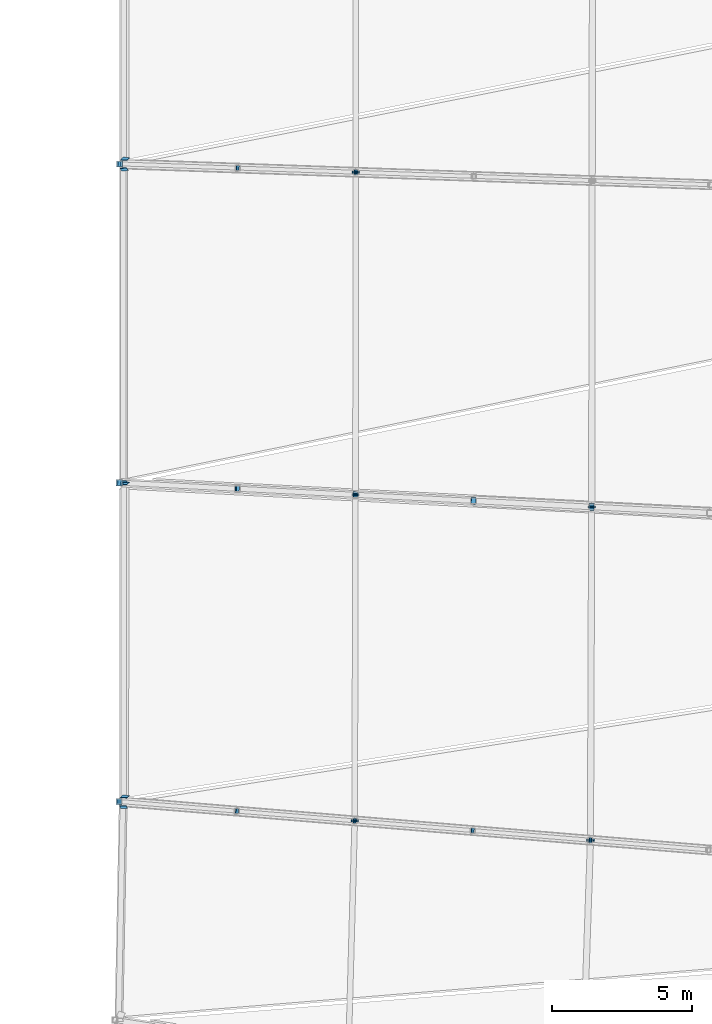
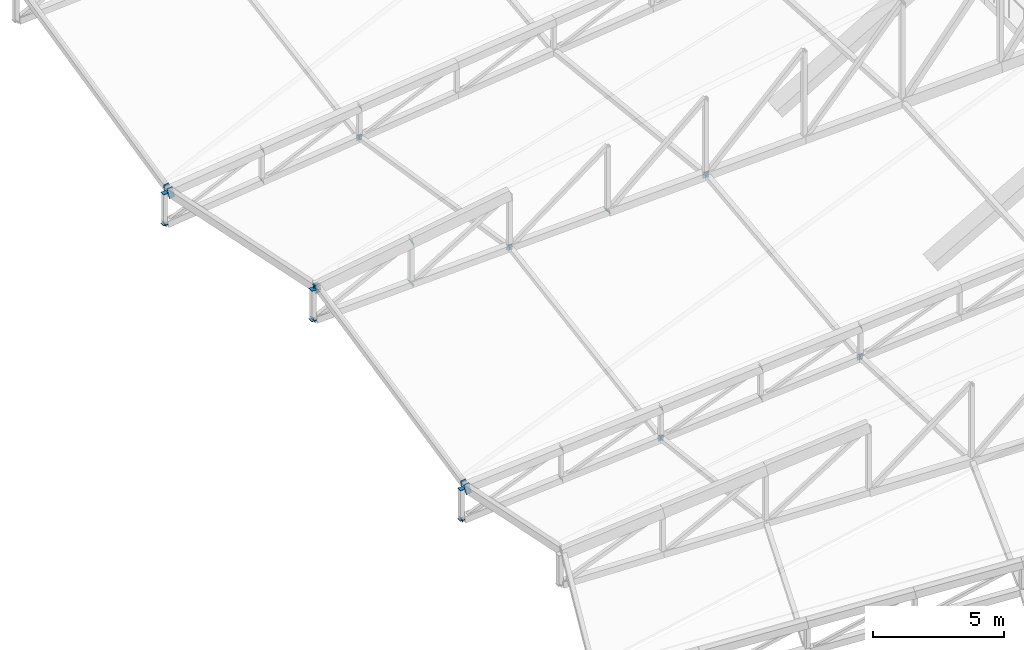
# One storey, part 303 of 344: 42 discrete accessories.
"""IFC4 building model written with IfcOpenShell, lengths in metres."""

from ifc_helpers import new_model, si_unit, direction, frame, origin, origin_2d, place, context, subcontext, project, spatial, rectangle, extrude, material, material_profile, profile_set, type_object, element, save


model = new_model("IFC4")

# Units and contexts
model_context = context("Model", 3, precision=1e-05, world=origin(), true_north=direction((0.0, 1.0)))
body_context = subcontext(model_context, "Body", "Model", "MODEL_VIEW")
ifc_project = project(units=[si_unit("LENGTHUNIT", "METRE"), si_unit("AREAUNIT", "SQUARE_METRE"), si_unit("VOLUMEUNIT", "CUBIC_METRE"), si_unit("PLANEANGLEUNIT", "RADIAN"), si_unit("MASSUNIT", "GRAM", prefix="KILO")], contexts=[model_context])

# Site, building, storey
site_placement = place(None, origin())
site = spatial("IfcSite", under=ifc_project, at=site_placement, CompositionType="ELEMENT")
building_placement = place(site_placement, origin())
building = spatial("IfcBuilding", under=site, at=building_placement, Name="Meseta Stadium", CompositionType="ELEMENT")
storey_placement = place(building_placement, frame((0.0, 0.0, 24.0)))
storey = spatial("IfcBuildingStorey", under=building, at=storey_placement, Name="L04", CompositionType="ELEMENT", Elevation=24.0)

# Discrete accessories
ifc_material_1 = material(Name="Steel S355", Category="steel")
ifc_material_profile_1 = material_profile(ifc_material_1, rectangle(XDim=0.179931640625, YDim=0.179931640625, at=origin_2d()), Name="PL 180x180")
ifc_profile_set_1 = profile_set([ifc_material_profile_1], Name="Steel S355")
discrete_accessory_type_1 = type_object("IfcDiscreteAccessoryType", Name="End plate 180x180x20", PredefinedType="ANCHORPLATE", material=ifc_profile_set_1)
discrete_accessory_1_placement = place(storey_placement, frame((46.96435546875, -39.832763671875, 1.090087890625), z_axis=(0.901567911708, -0.073100100949, 0.426417255537), x_axis=(0.080815868766, 0.996729048115, 0.0)))
element("IfcDiscreteAccessory", 1, at=discrete_accessory_1_placement, inside=storey, type_object=discrete_accessory_type_1, Name="End plate of ROOF TRUSS RT-01 diagonal", PredefinedType="ANCHORPLATE", context=body_context, shape_type="SweptSolid", body=[
    extrude(rectangle(XDim=0.179931640625, YDim=0.179931640625, at=origin_2d()), origin(), (0.0, 0.0, 1.0), 0.02001953125),
])
discrete_accessory_2_placement = place(storey_placement, frame((51.1904296875, -40.18017578125, 3.13818359375), z_axis=(0.899249391933, -0.073910908926, 0.431146968735), x_axis=(0.081915556729, 0.996639273542, 0.0)))
element("IfcDiscreteAccessory", 2, at=discrete_accessory_2_placement, inside=storey, type_object=discrete_accessory_type_1, Name="End plate of ROOF TRUSS RT-01 diagonal", PredefinedType="ANCHORPLATE", context=body_context, shape_type="SweptSolid", body=[
    extrude(rectangle(XDim=0.179931640625, YDim=0.179931640625, at=origin_2d()), origin(), (0.0, 0.0, 1.0), 0.019775390625),
])
discrete_accessory_3_placement = place(storey_placement, frame((51.17236328125, -40.1787109375, 1.7236328125), z_axis=(0.901567911708, -0.073100100949, 0.426417255537), x_axis=(0.080815868766, 0.996729048115, 0.0)))
element("IfcDiscreteAccessory", 3, at=discrete_accessory_3_placement, inside=storey, type_object=discrete_accessory_type_1, Name="End plate of ROOF TRUSS RT-01 diagonal", PredefinedType="ANCHORPLATE", context=body_context, shape_type="SweptSolid", body=[
    extrude(rectangle(XDim=0.179931640625, YDim=0.179931640625, at=origin_2d()), origin(), (0.0, 0.0, 1.0), 0.02001953125),
])
discrete_accessory_4_placement = place(storey_placement, frame((55.398193359375, -40.5263671875, 3.771484375), z_axis=(0.896854406293, -0.072717924835, 0.436307549007), x_axis=(0.080815868766, 0.996729048115, 0.0)))
element("IfcDiscreteAccessory", 4, at=discrete_accessory_4_placement, inside=storey, type_object=discrete_accessory_type_1, Name="End plate of ROOF TRUSS RT-01 diagonal", PredefinedType="ANCHORPLATE", context=body_context, shape_type="SweptSolid", body=[
    extrude(rectangle(XDim=0.179931640625, YDim=0.179931640625, at=origin_2d()), origin(), (0.0, 0.0, 1.0), 0.020263671875),
])
discrete_accessory_5_placement = place(storey_placement, frame((55.38037109375, -40.52490234375, 2.35693359375), z_axis=(0.894443975619, -0.073515943202, 0.44109565921), x_axis=(0.081915556729, 0.996639273542, 0.0)))
element("IfcDiscreteAccessory", 5, at=discrete_accessory_5_placement, inside=storey, type_object=discrete_accessory_type_1, Name="End plate of ROOF TRUSS RT-01 diagonal", PredefinedType="ANCHORPLATE", context=body_context, shape_type="SweptSolid", body=[
    extrude(rectangle(XDim=0.179931640625, YDim=0.179931640625, at=origin_2d()), origin(), (0.0, 0.0, 1.0), 0.02001953125),
])
discrete_accessory_6_placement = place(storey_placement, frame((59.606201171875, -40.872314453125, 4.405029296875), z_axis=(0.896854406293, -0.072717924835, 0.436307549007), x_axis=(0.080815868766, 0.996729048115, 0.0)))
element("IfcDiscreteAccessory", 6, at=discrete_accessory_6_placement, inside=storey, type_object=discrete_accessory_type_1, Name="End plate of ROOF TRUSS RT-01 diagonal", PredefinedType="ANCHORPLATE", context=body_context, shape_type="SweptSolid", body=[
    extrude(rectangle(XDim=0.179931640625, YDim=0.179931640625, at=origin_2d()), origin(), (0.0, 0.0, 1.0), 0.020263671875),
])
for number, where, z_axis, x_axis, name in (
    (7, (59.58837890625, -40.870849609375, 2.990478515625), (0.894443975619, -0.073515943202, 0.44109565921), (0.081915556729, 0.996639273542, 0.0), "End plate of ROOF TRUSS RT-01 diagonal"),
    (8, (63.814208984375, -41.21826171875, 5.03857421875), (0.901567911708, -0.073100100949, 0.426417255537), (0.080815868766, 0.996729048115, 0.0), "End plate of ROOF TRUSS RT-01 diagonal"),
):
    element("IfcDiscreteAccessory", number, at=place(storey_placement, frame(where, z_axis=z_axis, x_axis=x_axis)), inside=storey, type_object=discrete_accessory_type_1, Name=name, PredefinedType="ANCHORPLATE", context=body_context, shape_type="SweptSolid", body=[
        extrude(rectangle(XDim=0.179931640625, YDim=0.179931640625, at=origin_2d()), origin(), (0.0, 0.0, 1.0), 0.02001953125),
    ])
discrete_accessory_7_placement = place(storey_placement, frame((63.79638671875, -41.216796875, 3.6240234375), z_axis=(0.899249391933, -0.073910908926, 0.431146968735), x_axis=(0.081915556729, 0.996639273542, 0.0)))
element("IfcDiscreteAccessory", 9, at=discrete_accessory_7_placement, inside=storey, type_object=discrete_accessory_type_1, Name="End plate of ROOF TRUSS RT-01 diagonal", PredefinedType="ANCHORPLATE", context=body_context, shape_type="SweptSolid", body=[
    extrude(rectangle(XDim=0.179931640625, YDim=0.179931640625, at=origin_2d()), origin(), (0.0, 0.0, 1.0), 0.019775390625),
])
for number, where, z_axis, x_axis, name in (
    (10, (46.978759765625, -17.071533203125, 1.09326171875), (0.898638141175, -0.036431275994, 0.437175311923), (0.040507266643, 0.999179243854, 0.0), "End plate of ROOF TRUSS RT-03 diagonal"),
    (11, (51.21630859375, -17.220947265625, 3.1630859375), (0.898638141175, -0.036431275994, 0.437175311923), (0.040507266643, 0.999179243854, 0.0), "End plate of ROOF TRUSS RT-03 diagonal"),
):
    element("IfcDiscreteAccessory", number, at=place(storey_placement, frame(where, z_axis=z_axis, x_axis=x_axis)), inside=storey, type_object=discrete_accessory_type_1, Name=name, PredefinedType="ANCHORPLATE", context=body_context, shape_type="SweptSolid", body=[
        extrude(rectangle(XDim=0.179931640625, YDim=0.179931640625, at=origin_2d()), origin(), (0.0, 0.0, 1.0), 0.02001953125),
    ])
for number, where, z_axis, x_axis, name in (
    (12, (51.198486328125, -17.220458984375, 1.726318359375), (0.896600239651, -0.024564390127, 0.442159022294), (0.027386983732, 0.999624906213, 0.0), "End plate of ROOF TRUSS RT-03 diagonal"),
    (13, (55.43603515625, -17.36962890625, 3.796142578125), (0.896262295257, -0.036832697065, 0.441992364784), (0.041061231452, 0.999156632001, 0.0), "End plate of ROOF TRUSS RT-03 diagonal"),
):
    element("IfcDiscreteAccessory", number, at=place(storey_placement, frame(where, z_axis=z_axis, x_axis=x_axis)), inside=storey, type_object=discrete_accessory_type_1, Name=name, PredefinedType="ANCHORPLATE", context=body_context, shape_type="SweptSolid", body=[
        extrude(rectangle(XDim=0.179931640625, YDim=0.179931640625, at=origin_2d()), origin(), (0.0, 0.0, 1.0), 0.019775390625),
    ])
discrete_accessory_8_placement = place(storey_placement, frame((55.41796875, -17.369140625, 2.359375), z_axis=(0.898969631887, -0.024296476537, 0.437336577675), x_axis=(0.027017161348, 0.999634969873, 0.0)))
element("IfcDiscreteAccessory", 14, at=discrete_accessory_8_placement, inside=storey, type_object=discrete_accessory_type_1, Name="End plate of ROOF TRUSS RT-03 diagonal", PredefinedType="ANCHORPLATE", context=body_context, shape_type="SweptSolid", body=[
    extrude(rectangle(XDim=0.179931640625, YDim=0.179931640625, at=origin_2d()), origin(), (0.0, 0.0, 1.0), 0.02001953125),
])
ifc_material_2 = material(Name="Steel S355", Category="steel")
ifc_material_profile_2 = material_profile(ifc_material_2, rectangle(XDim=0.219970703125, YDim=0.219970703125, at=origin_2d()), Name="PL 220x220")
ifc_profile_set_2 = profile_set([ifc_material_profile_2], Name="Steel S355")
discrete_accessory_type_2 = type_object("IfcDiscreteAccessoryType", Name="End plate 220x220x20", PredefinedType="ANCHORPLATE", material=ifc_profile_set_2)
discrete_accessory_9_placement = place(storey_placement, frame((46.982421875, -39.834228515625, 1.078857421875), z_axis=(0.0, 0.0, 1.0), x_axis=(1.0, 0.0, 0.0)))
element("IfcDiscreteAccessory", 15, at=discrete_accessory_9_placement, inside=storey, type_object=discrete_accessory_type_2, Name="End plate of ROOF TRUSS RT-01 post", PredefinedType="ANCHORPLATE", context=body_context, shape_type="SweptSolid", body=[
    extrude(rectangle(XDim=0.219970703125, YDim=0.219970703125, at=origin_2d()), origin(), (0.0, 0.0, 1.0), 0.019775390625),
])
for number, where, z_axis, x_axis, name in (
    (16, (46.982421875, -39.834228515625, 2.504638671875), (0.0, 0.0, 1.0), (1.0, 0.0, 0.0), "End plate of ROOF TRUSS RT-01 post"),
    (17, (46.973388671875, -28.45263671875, 3.526611328125), (0.878702431126, -0.036612601297, 0.47596381686), (0.041630544712, 0.999133073092, 0.0), "End plate of ROOF TRUSS RT-02 diagonal"),
    (18, (51.20751953125, -28.670166015625, 5.83251953125), (0.878244722495, -0.048791373472, 0.475715891351), (0.055470019623, 0.998460353205, 0.0), "End plate of ROOF TRUSS RT-02 diagonal"),
):
    element("IfcDiscreteAccessory", number, at=place(storey_placement, frame(where, z_axis=z_axis, x_axis=x_axis)), inside=storey, type_object=discrete_accessory_type_2, Name=name, PredefinedType="ANCHORPLATE", context=body_context, shape_type="SweptSolid", body=[
        extrude(rectangle(XDim=0.219970703125, YDim=0.219970703125, at=origin_2d()), origin(), (0.0, 0.0, 1.0), 0.02001953125),
    ])
discrete_accessory_10_placement = place(storey_placement, frame((51.191162109375, -28.66943359375, 3.873046875), z_axis=(0.823839683072, -0.036888344018, 0.565621274945), x_axis=(0.044731300944, 0.998999054412, 0.0)))
element("IfcDiscreteAccessory", 19, at=discrete_accessory_10_placement, inside=storey, type_object=discrete_accessory_type_2, Name="End plate of ROOF TRUSS RT-02 diagonal", PredefinedType="ANCHORPLATE", context=body_context, shape_type="SweptSolid", body=[
    extrude(rectangle(XDim=0.219970703125, YDim=0.219970703125, at=origin_2d()), origin(), (0.0, 0.0, 1.0), 0.019775390625),
])
for number, where, z_axis, x_axis, name in (
    (20, (55.40869140625, -28.88623046875, 4.219970703125), (0.781534581333, -0.0366344335, 0.6227853695), (0.046823586299, 0.99890317437, 0.0), "End plate of ROOF TRUSS RT-02 diagonal"),
    (21, (46.996826171875, -17.072265625, 1.08203125), (0.0, 0.0, 1.0), (1.0, 0.0, 0.0), "End plate of ROOF TRUSS RT-03 post"),
    (22, (46.996826171875, -17.072265625, 2.530029296875), (0.0, 0.0, 1.0), (1.0, 0.0, 0.0), "End plate of ROOF TRUSS RT-03 post"),
):
    element("IfcDiscreteAccessory", number, at=place(storey_placement, frame(where, z_axis=z_axis, x_axis=x_axis)), inside=storey, type_object=discrete_accessory_type_2, Name=name, PredefinedType="ANCHORPLATE", context=body_context, shape_type="SweptSolid", body=[
        extrude(rectangle(XDim=0.219970703125, YDim=0.219970703125, at=origin_2d()), origin(), (0.0, 0.0, 1.0), 0.02001953125),
    ])
ifc_material_3 = material(Name="Steel S355", Category="steel")
ifc_material_profile_3 = material_profile(ifc_material_3, rectangle(XDim=0.239990234375, YDim=0.239990234375, at=origin_2d()), Name="PL 240x240")
ifc_profile_set_3 = profile_set([ifc_material_profile_3], Name="Steel S355")
discrete_accessory_type_3 = type_object("IfcDiscreteAccessoryType", Name="End plate 240x240x20", PredefinedType="ANCHORPLATE", material=ifc_profile_set_3)
for number, where, z_axis, x_axis, name in (
    (23, (46.990966796875, -28.453369140625, 3.51611328125), (0.0, 0.0, 1.0), (1.0, 0.0, 0.0), "End plate of ROOF TRUSS RT-02 post"),
    (24, (46.990966796875, -28.453369140625, 4.936279296875), (0.0, 0.0, 1.0), (1.0, 0.0, 0.0), "End plate of ROOF TRUSS RT-02 post"),
    (25, (59.626220703125, -29.102783203125, 4.56689453125), (0.730188575267, -0.048679238351, 0.681509336916), (0.066519010524, 0.997785157857, 0.0), "End plate of ROOF TRUSS RT-02 diagonal"),
    (26, (63.84375, -29.319580078125, 4.9140625), (0.681862882377, -0.036528368699, 0.730567373975), (0.053494721372, 0.99856813227, 0.0), "End plate of ROOF TRUSS RT-02 diagonal"),
    (27, (55.398193359375, -40.5263671875, 2.36572265625), (0.036612601297, 0.988540235017, -0.146450405188), (-0.999314833767, 0.03701166051, 0.0), "End plate of ROOF TRUSS STRUT RT-00/01"),
):
    element("IfcDiscreteAccessory", number, at=place(storey_placement, frame(where, z_axis=z_axis, x_axis=x_axis)), inside=storey, type_object=discrete_accessory_type_3, Name=name, PredefinedType="ANCHORPLATE", context=body_context, shape_type="SweptSolid", body=[
        extrude(rectangle(XDim=0.239990234375, YDim=0.239990234375, at=origin_2d()), origin(), (0.0, 0.0, 1.0), 0.02001953125),
    ])
discrete_accessory_11_placement = place(storey_placement, frame((55.398193359375, -40.5458984375, 2.362548828125), z_axis=(0.0, 0.987052734624, 0.160396069376), x_axis=(-1.0, 0.0, 0.0)))
element("IfcDiscreteAccessory", 28, at=discrete_accessory_11_placement, inside=storey, type_object=discrete_accessory_type_3, Name="End plate of ROOF TRUSS STRUT RT-01/02", PredefinedType="ANCHORPLATE", context=body_context, shape_type="SweptSolid", body=[
    extrude(rectangle(XDim=0.239990234375, YDim=0.239990234375, at=origin_2d()), origin(), (0.0, 0.0, 1.0), 0.019775390625),
])
for number, where, z_axis, x_axis, name in (
    (29, (55.42431640625, -28.886962890625, 4.232421875), (0.0, 0.987364450794, 0.15846589951), (-1.0, 0.0, 0.0), "End plate of ROOF TRUSS STRUT RT-01/02"),
    (30, (55.42431640625, -28.90673828125, 4.235595703125), (0.0, 0.987364450794, -0.15846589951), (-1.0, 0.0, 0.0), "End plate of ROOF TRUSS STRUT RT-02/03"),
    (31, (55.43603515625, -17.36962890625, 2.3681640625), (0.0, 0.987364450794, -0.15846589951), (-1.0, 0.0, 0.0), "End plate of ROOF TRUSS STRUT RT-02/03"),
    (32, (55.43603515625, -17.389404296875, 2.36474609375), (0.0, 0.985389793052, 0.170314285219), (-1.0, 0.0, 0.0), "End plate of ROOF TRUSS STRUT RT-03/04"),
):
    element("IfcDiscreteAccessory", number, at=place(storey_placement, frame(where, z_axis=z_axis, x_axis=x_axis)), inside=storey, type_object=discrete_accessory_type_3, Name=name, PredefinedType="ANCHORPLATE", context=body_context, shape_type="SweptSolid", body=[
        extrude(rectangle(XDim=0.239990234375, YDim=0.239990234375, at=origin_2d()), origin(), (0.0, 0.0, 1.0), 0.02001953125),
    ])
ifc_material_4 = material(Name="Steel S355", Category="steel")
ifc_material_profile_4 = material_profile(ifc_material_4, rectangle(XDim=0.239990234375, YDim=0.43994140625, at=origin_2d()), Name="PL 240x440")
ifc_profile_set_4 = profile_set([ifc_material_profile_4], Name="Steel S355")
discrete_accessory_type_4 = type_object("IfcDiscreteAccessoryType", Name="End plate 240x440x20", PredefinedType="ANCHORPLATE", material=ifc_profile_set_4)
discrete_accessory_12_placement = place(storey_placement, frame((47.143310546875, -40.04296875, 2.58349609375), z_axis=(0.012340977508, 0.974937223156, -0.222137595149), x_axis=(-0.991604557048, -0.016664787408, -0.12822904235)))
element("IfcDiscreteAccessory", 33, at=discrete_accessory_12_placement, inside=storey, type_object=discrete_accessory_type_4, Name="End plate of TIP RING BEAM 01", PredefinedType="ANCHORPLATE", context=body_context, shape_type="SweptSolid", body=[
    extrude(rectangle(XDim=0.239990234375, YDim=0.43994140625, at=origin_2d()), origin(), (0.0, 0.0, 1.0), 0.019775390625),
])
discrete_accessory_13_placement = place(storey_placement, frame((47.18701171875, -39.6748046875, 2.587890625), z_axis=(0.0, 0.980580675691, 0.196116135138), x_axis=(-0.976967325846, 0.041849016269, -0.209245081343)))
element("IfcDiscreteAccessory", 34, at=discrete_accessory_13_placement, inside=storey, type_object=discrete_accessory_type_4, Name="End plate of TIP RING BEAM 02", PredefinedType="ANCHORPLATE", context=body_context, shape_type="SweptSolid", body=[
    extrude(rectangle(XDim=0.239990234375, YDim=0.43994140625, at=origin_2d()), origin(), (0.0, 0.0, 1.0), 0.02001953125),
])
discrete_accessory_14_placement = place(storey_placement, frame((47.1953125, -28.484375, 4.951416015625), z_axis=(0.0, 0.978677791195, 0.205401511732), x_axis=(-0.976967325846, 0.043830413036, -0.208839026817)))
element("IfcDiscreteAccessory", 35, at=discrete_accessory_14_placement, inside=storey, type_object=discrete_accessory_type_4, Name="End plate of TIP RING BEAM 02", PredefinedType="ANCHORPLATE", context=body_context, shape_type="SweptSolid", body=[
    extrude(rectangle(XDim=0.239990234375, YDim=0.43994140625, at=origin_2d()), origin(), (0.0, 0.0, 1.0), 0.020263671875),
])
for number, where, z_axis, x_axis, name in (
    (36, (47.1591796875, -28.4443359375, 4.941650390625), (0.0, 0.978158850918, -0.20785875582), (-0.990373917756, -0.028771363459, -0.135394651571), "End plate of TIP RING BEAM 03"),
    (37, (47.164794921875, -17.273193359375, 2.60791015625), (0.0, 0.978158850918, -0.20785875582), (-0.990373917756, -0.028771363459, -0.135394651571), "End plate of TIP RING BEAM 03"),
):
    element("IfcDiscreteAccessory", number, at=place(storey_placement, frame(where, z_axis=z_axis, x_axis=x_axis)), inside=storey, type_object=discrete_accessory_type_4, Name=name, PredefinedType="ANCHORPLATE", context=body_context, shape_type="SweptSolid", body=[
        extrude(rectangle(XDim=0.239990234375, YDim=0.43994140625, at=origin_2d()), origin(), (0.0, 0.0, 1.0), 0.02001953125),
    ])
discrete_accessory_15_placement = place(storey_placement, frame((47.19580078125, -16.903564453125, 2.6142578125), z_axis=(0.0, 0.975011472973, 0.222154512829), x_axis=(-0.979311618247, 0.044954739725, -0.197301357681)))
element("IfcDiscreteAccessory", 38, at=discrete_accessory_15_placement, inside=storey, type_object=discrete_accessory_type_4, Name="End plate of TIP RING BEAM 04", PredefinedType="ANCHORPLATE", context=body_context, shape_type="SweptSolid", body=[
    extrude(rectangle(XDim=0.239990234375, YDim=0.43994140625, at=origin_2d()), origin(), (0.0, 0.0, 1.0), 0.019775390625),
])
ifc_material_5 = material(Name="Steel S355", Category="steel")
ifc_material_profile_5 = material_profile(ifc_material_5, rectangle(XDim=0.260009765625, YDim=0.260009765625, at=origin_2d()), Name="PL 260x260")
ifc_profile_set_5 = profile_set([ifc_material_profile_5], Name="Steel S355")
discrete_accessory_type_5 = type_object("IfcDiscreteAccessoryType", Name="End plate 260x260x20", PredefinedType="ANCHORPLATE", material=ifc_profile_set_5)
discrete_accessory_16_placement = place(storey_placement, frame((63.814208984375, -41.21826171875, 3.632568359375), z_axis=(0.036874408638, 0.995609033221, -0.086040286822), x_axis=(-0.999314833767, 0.03701166051, 0.0)))
element("IfcDiscreteAccessory", 39, at=discrete_accessory_16_placement, inside=storey, type_object=discrete_accessory_type_5, Name="End plate of ROOF TRUSS STRUT RT-00/01", PredefinedType="ANCHORPLATE", context=body_context, shape_type="SweptSolid", body=[
    extrude(rectangle(XDim=0.260009765625, YDim=0.260009765625, at=origin_2d()), origin(), (0.0, 0.0, 1.0), 0.019775390625),
])
discrete_accessory_17_placement = place(storey_placement, frame((63.814208984375, -41.23828125, 3.63037109375), z_axis=(0.0, 0.994030677348, 0.109100928002), x_axis=(-1.0, 0.0, 0.0)))
element("IfcDiscreteAccessory", 40, at=discrete_accessory_17_placement, inside=storey, type_object=discrete_accessory_type_5, Name="End plate of ROOF TRUSS STRUT RT-01/02", PredefinedType="ANCHORPLATE", context=body_context, shape_type="SweptSolid", body=[
    extrude(rectangle(XDim=0.260009765625, YDim=0.260009765625, at=origin_2d()), origin(), (0.0, 0.0, 1.0), 0.02001953125),
])
discrete_accessory_18_placement = place(storey_placement, frame((63.857421875, -29.3203125, 4.9287109375), z_axis=(0.012284975204, 0.995082991502, 0.09827980163), x_axis=(-0.999923800815, 0.012344738282, 0.0)))
element("IfcDiscreteAccessory", 41, at=discrete_accessory_18_placement, inside=storey, type_object=discrete_accessory_type_5, Name="End plate of ROOF TRUSS STRUT RT-01/02", PredefinedType="ANCHORPLATE", context=body_context, shape_type="SweptSolid", body=[
    extrude(rectangle(XDim=0.260009765625, YDim=0.260009765625, at=origin_2d()), origin(), (0.0, 0.0, 1.0), 0.019775390625),
])
discrete_accessory_19_placement = place(storey_placement, frame((63.857421875, -29.34033203125, 4.930908203125), z_axis=(0.0, 0.994030677348, -0.109100928002), x_axis=(-1.0, 0.0, 0.0)))
element("IfcDiscreteAccessory", 42, at=discrete_accessory_19_placement, inside=storey, type_object=discrete_accessory_type_5, Name="End plate of ROOF TRUSS STRUT RT-02/03", PredefinedType="ANCHORPLATE", context=body_context, shape_type="SweptSolid", body=[
    extrude(rectangle(XDim=0.260009765625, YDim=0.260009765625, at=origin_2d()), origin(), (0.0, 0.0, 1.0), 0.02001953125),
])

save(model, "model.ifc")
